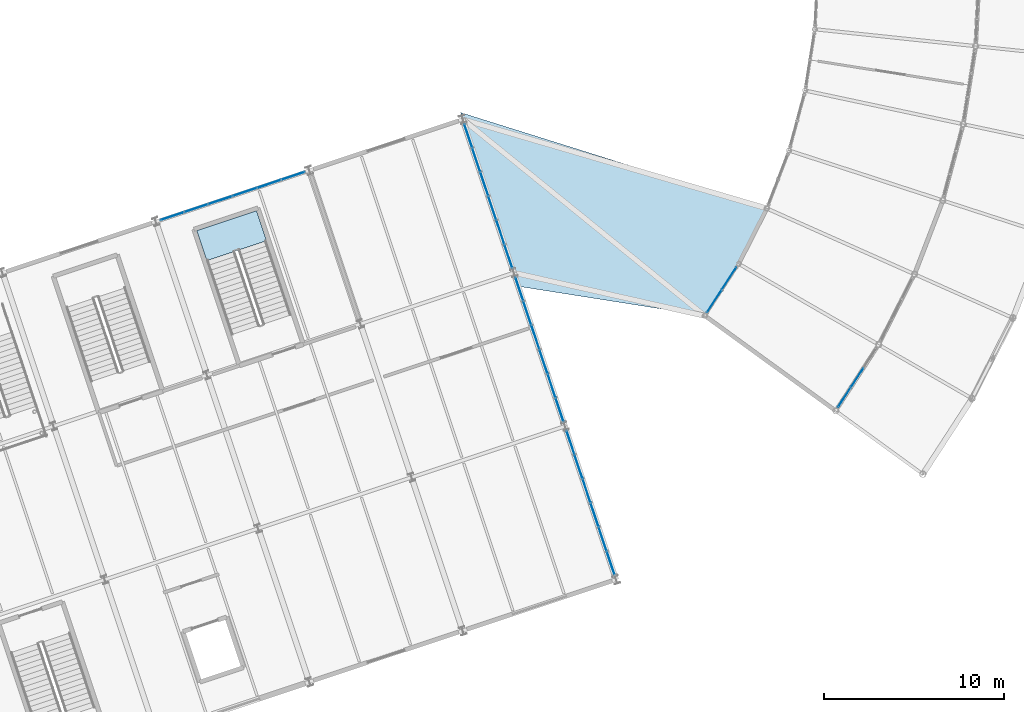
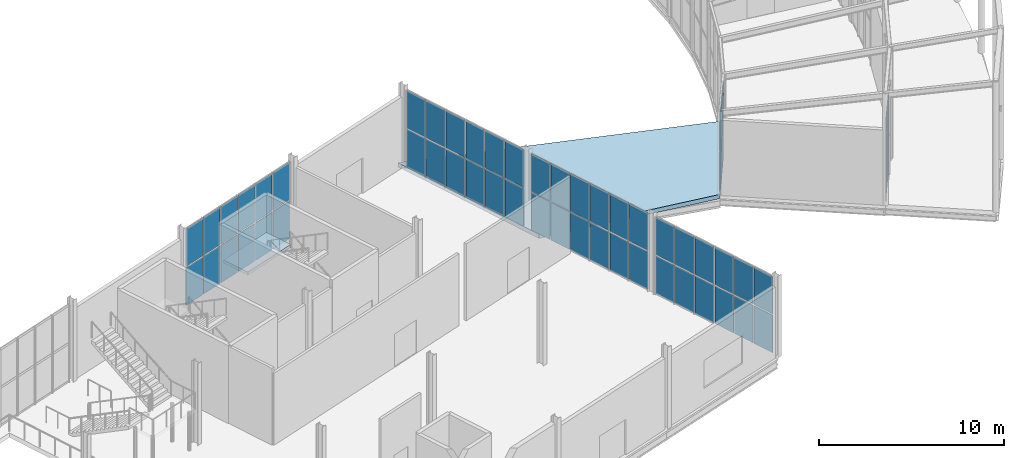
# One storey, part 113 of 158: 56 plates, 2 slabs, 7 elements without a shape of their own.
"""IFC4 building model written with IfcOpenShell, lengths in metres."""

import ifcopenshell
import ifcopenshell.guid

model = None  # the IFC model being written
_history = None  # IfcOwnerHistory: only IFC2X3 demands one
_inside = {}  # id of a spatial element -> (the spatial element, [elements in it])
_under = {}  # id of a project, library or spatial element -> (it, [spatial elements below it])
_declared = {}  # id of a project -> (the project, [libraries it declares])
_typed = {}  # id of a type object -> (the type object, [elements of that type])
_made_of = {}  # id of a material, layer set ... -> (it, [elements and type objects made of it])


def new_model(schema):
    """Start an empty IFC model of exactly this schema.

    Asked for "IFC4X3", IfcOpenShell would pick the latest addendum, in which some entities
    have other attributes; the version numbers below select the first issue.
    IFC2X3 requires an IfcOwnerHistory on every rooted entity: one is made here for all.
    """
    global model, _history
    if schema == "IFC4X3":
        model = ifcopenshell.file(schema_version=(4, 3, 0, 0))
    else:
        model = ifcopenshell.file(schema=schema)
    _inside.clear()
    _under.clear()
    _declared.clear()
    _typed.clear()
    _made_of.clear()
    _history = None
    if model.schema == "IFC2X3":
        org = make("IfcOrganization", Name="unknown")
        user = make(
            "IfcPersonAndOrganization",
            ThePerson=make("IfcPerson", FamilyName="unknown"),
            TheOrganization=org,
        )
        app = make(
            "IfcApplication",
            ApplicationDeveloper=org,
            Version="unknown",
            ApplicationFullName="unknown",
            ApplicationIdentifier="unknown",
        )
        _history = make(
            "IfcOwnerHistory",
            OwningUser=user,
            OwningApplication=app,
            ChangeAction="ADDED",
            CreationDate=0,
        )
    return model


def make(cls, **values):
    """One entity of the class cls with the attributes given. An attribute that is None is left unset."""
    return model.create_entity(
        cls, **{name: value for name, value in values.items() if value is not None}
    )


def rooted(cls, **values):
    """An entity with a GlobalId (a new one), such as an element, a storey or a relation."""
    return make(cls, GlobalId=ifcopenshell.guid.new(), OwnerHistory=_history, **values)


def si_unit(unit_type, name, prefix=None):
    """IfcSIUnit, for example si_unit("LENGTHUNIT", "METRE", prefix="MILLI")."""
    return make("IfcSIUnit", UnitType=unit_type, Prefix=prefix, Name=name)


def derived_unit(unit_type, elements):
    """IfcDerivedUnit: a product of units, each with its exponent."""
    return make(
        "IfcDerivedUnit",
        Elements=[
            make("IfcDerivedUnitElement", Unit=unit, Exponent=power)
            for unit, power in elements
        ],
        UnitType=unit_type,
    )


def assignment(units):
    """IfcUnitAssignment: the units of a project."""
    return None if units is None else make("IfcUnitAssignment", Units=units)


def point(xyz):
    """IfcCartesianPoint."""
    return None if xyz is None else make("IfcCartesianPoint", Coordinates=xyz)


def direction(xyz):
    """IfcDirection."""
    return None if xyz is None else make("IfcDirection", DirectionRatios=xyz)


def frame(location, z_axis=None, x_axis=None):
    """IfcAxis2Placement3D, a coordinate frame: its origin and axes. An axis left out is left unset."""
    return make(
        "IfcAxis2Placement3D",
        Location=point(location),
        Axis=direction(z_axis),
        RefDirection=direction(x_axis),
    )


def frame_2d(location, x_axis=None):
    """IfcAxis2Placement2D, a coordinate frame in the plane: its origin and x axis."""
    return make(
        "IfcAxis2Placement2D", Location=point(location), RefDirection=direction(x_axis)
    )


def origin():
    """The frame at (0, 0, 0) with its axes left unset."""
    return frame((0.0, 0.0, 0.0))


def origin_2d():
    """The frame at (0, 0) in the plane with its x axis left unset."""
    return frame_2d((0.0, 0.0))


def place(relative_to, where):
    """IfcLocalPlacement: puts the frame where relative to a parent placement (None: the world)."""
    return make(
        "IfcLocalPlacement", PlacementRelTo=relative_to, RelativePlacement=where
    )


def context(
    kind, dimensions, precision=None, world=None, true_north=None, identifier=None
):
    """IfcGeometricRepresentationContext, for example the 3D "Model" context."""
    return make(
        "IfcGeometricRepresentationContext",
        ContextIdentifier=identifier,
        ContextType=kind,
        CoordinateSpaceDimension=dimensions,
        Precision=precision,
        WorldCoordinateSystem=world,
        TrueNorth=true_north,
    )


def subcontext(parent, identifier, kind, view, scale=None):
    """IfcGeometricRepresentationSubContext, for example "Body" below "Model"."""
    return make(
        "IfcGeometricRepresentationSubContext",
        ContextIdentifier=identifier,
        ContextType=kind,
        ParentContext=parent,
        TargetScale=scale,
        TargetView=view,
    )


def project(units=None, contexts=None):
    """IfcProject with its units and contexts."""
    return rooted(
        "IfcProject",
        Name="project",
        RepresentationContexts=contexts,
        UnitsInContext=assignment(units),
    )


def spatial(cls, under=None, at=None, **own):
    """A site, building, storey or space (cls), placed at a placement, below another one or the project."""
    s = rooted(cls, ObjectPlacement=at, **own)
    if under is not None:
        _under.setdefault(under.id(), (under, []))[1].append(s)
    return s


def polyline(points):
    """IfcPolyline through the points."""
    return make("IfcPolyline", Points=[point(p) for p in points])


def profile(cls, at=None, kind="AREA", **sizes):
    """A parametric profile (cls). Its sizes go by their IFC names, for example OverallWidth=200.0."""
    return make(cls, ProfileType=kind, Position=at, **sizes)


def rectangle(**sizes):
    """IfcRectangleProfileDef."""
    return profile("IfcRectangleProfileDef", **sizes)


def outline(outer, holes=None, kind="AREA"):
    """IfcArbitraryClosedProfileDef: a profile drawn as a closed curve; with holes, ...WithVoids."""
    if holes is None:
        return make("IfcArbitraryClosedProfileDef", ProfileType=kind, OuterCurve=outer)
    return make(
        "IfcArbitraryProfileDefWithVoids",
        ProfileType=kind,
        OuterCurve=outer,
        InnerCurves=holes,
    )


def extrude(swept, where, along, depth):
    """IfcExtrudedAreaSolid: the profile swept, set in the frame where, extruded along a direction by depth."""
    return make(
        "IfcExtrudedAreaSolid",
        SweptArea=swept,
        Position=where,
        ExtrudedDirection=direction(along),
        Depth=depth,
    )


def shape(context_of_items, identifier, shape_type, items):
    """IfcShapeRepresentation: the items that make up one representation, for example the "Body"."""
    return make(
        "IfcShapeRepresentation",
        ContextOfItems=context_of_items,
        RepresentationIdentifier=identifier,
        RepresentationType=shape_type,
        Items=items,
    )


def material(Name=None, Category=None):
    """IfcMaterial."""
    return make("IfcMaterial", Name=Name, Category=Category)


def layer(
    of_material, thickness, ventilated=None, Name=None, Category=None, Priority=None
):
    """IfcMaterialLayer: one layer of a wall or slab, of a material (None: an air gap)."""
    return make(
        "IfcMaterialLayer",
        Material=of_material,
        LayerThickness=thickness,
        IsVentilated=ventilated,
        Name=Name,
        Category=Category,
        Priority=Priority,
    )


def layer_set(layers, Name=None):
    """IfcMaterialLayerSet."""
    return make("IfcMaterialLayerSet", MaterialLayers=layers, LayerSetName=Name)


def made_of(thing, what):
    """Note that an element or type object is made of a material, layer set ...; save() writes the relation."""
    if what is not None:
        _made_of.setdefault(what.id(), (what, []))[1].append(thing)
    return thing


def type_object(cls, material=None, **own):
    """A type object (cls), such as IfcWallType, which elements share."""
    return made_of(rooted(cls, **own), material)


def element(
    cls,
    number,
    at=None,
    inside=None,
    cuts=None,
    type_object=None,
    material=None,
    context=None,
    identifier="Body",
    shape_type=None,
    held_by="IfcProductDefinitionShape",
    body=None,
    shapes=None,
    **own,
):
    """One element of the class cls, such as IfcWall. Its Tag is "e" and its number.

    at: its placement. inside: the storey or other place that contains it. cuts: it is an
    opening in that element (IfcRelVoidsElement). A single representation is given by context,
    identifier, shape_type and body (its items); several are given by shapes. held_by: the class
    of the entity that holds the representations. save() writes the other relations.
    """
    e = rooted(cls, Tag="e%d" % number, ObjectPlacement=at, **own)
    if body is not None:
        shapes = [shape(context, identifier, shape_type, body)]
    if shapes is not None:
        e.Representation = make(held_by, Representations=shapes)
    if inside is not None:
        _inside.setdefault(inside.id(), (inside, []))[1].append(e)
    if cuts is not None:
        rooted(
            "IfcRelVoidsElement", RelatingBuildingElement=cuts, RelatedOpeningElement=e
        )
    if type_object is not None:
        _typed.setdefault(type_object.id(), (type_object, []))[1].append(e)
    return made_of(e, material)


def aggregate(whole, parts):
    """IfcRelAggregates: a whole, such as a stair, and the parts it consists of."""
    return rooted("IfcRelAggregates", RelatingObject=whole, RelatedObjects=parts)


def save(model, path):
    """Write the relations noted so far, then the file.

    IfcRelAggregates (storeys below a building ...), IfcRelContainedInSpatialStructure (elements
    in a storey), IfcRelDefinesByType, IfcRelAssociatesMaterial and IfcRelDeclares: one each for
    every whole, place, type object, material and project.
    """
    for whole, parts in _under.values():
        aggregate(whole, parts)
    for where, things in _inside.values():
        rooted(
            "IfcRelContainedInSpatialStructure",
            RelatedElements=things,
            RelatingStructure=where,
        )
    for kind, things in _typed.values():
        rooted("IfcRelDefinesByType", RelatedObjects=things, RelatingType=kind)
    for what, things in _made_of.values():
        rooted("IfcRelAssociatesMaterial", RelatedObjects=things, RelatingMaterial=what)
    for by, libraries in _declared.values():
        rooted("IfcRelDeclares", RelatingContext=by, RelatedDefinitions=libraries)
    model.write(path)


model = new_model("IFC4")

# Units and contexts
model_context = context("Model", 3, precision=1e-05, world=origin(), true_north=direction((0.0, 1.0)))
body_context = subcontext(model_context, "Body", "Model", "MODEL_VIEW")
ifc_project = project(units=[si_unit("LENGTHUNIT", "METRE"), si_unit("AREAUNIT", "SQUARE_METRE"), si_unit("VOLUMEUNIT", "CUBIC_METRE"), si_unit("PLANEANGLEUNIT", "RADIAN"), si_unit("MASSUNIT", "GRAM", prefix="KILO"), si_unit("THERMODYNAMICTEMPERATUREUNIT", "KELVIN"), si_unit("TIMEUNIT", "SECOND"), derived_unit("THERMALTRANSMITTANCEUNIT", [(si_unit("MASSUNIT", "GRAM", prefix="KILO"), 1), (si_unit("THERMODYNAMICTEMPERATUREUNIT", "KELVIN"), -1), (si_unit("TIMEUNIT", "SECOND"), -3)])], contexts=[model_context])

# Site, building, storey
site_placement = place(None, origin())
site = spatial("IfcSite", under=ifc_project, at=site_placement, CompositionType="ELEMENT")
building_placement = place(site_placement, origin())
building = spatial("IfcBuilding", under=site, at=building_placement, Name="Cambertide Market Hall", CompositionType="ELEMENT")
storey_placement = place(building_placement, origin())
storey = spatial("IfcBuildingStorey", under=building, at=storey_placement, Name="L01", CompositionType="ELEMENT", Elevation=0.0)

# Stair, slab
ifc_material_1 = material(Name="Concrete B35", Category="concrete")
stair_type = type_object("IfcStairType", Name="Concrete Dogleg Stair ST-05B", PredefinedType="HALF_TURN_STAIR", material=ifc_material_1)
stair_placement = place(storey_placement, origin())
stair = element("IfcStair", 1, at=stair_placement, inside=storey, type_object=stair_type, Name="Level 1 Exit Stair Core 05B", PredefinedType="HALF_TURN_STAIR")
ifc_material_2 = material(Name="Concrete B35", Category="concrete")
ifc_layer_1 = layer(ifc_material_2, 0.199951171875, Name="Concrete Stair Half-Landing 200")
ifc_layer_set_1 = layer_set([ifc_layer_1], Name="Concrete B35")
slab_type_1 = type_object("IfcSlabType", Name="Concrete Stair Half-Landing 200", PredefinedType="LANDING", material=ifc_layer_set_1)
slab_1_placement = place(storey_placement, frame((0.0, 0.0, 2.5)))
slab_1 = element("IfcSlab", 2, at=slab_1_placement, type_object=slab_type_1, Name="ST-05B landing 1", PredefinedType="LANDING", context=body_context, shape_type="SweptSolid", body=[
    extrude(outline(polyline([(146.304443359375, 50.781494140625), (145.749755859375, 52.445556640625), (142.429443359375, 51.338623046875), (142.984130859375, 49.6748046875), (146.304443359375, 50.781494140625)])), origin(), (0.0, 0.0, 1.0), 0.199951171875),
])
aggregate(stair, [slab_1])

# Slab
ifc_material_3 = material(Name="Concrete B35", Category="concrete")
ifc_layer_2 = layer(ifc_material_3, 0.280029296875, Name="Exterior Entry Apron & Colonnade Slab 280")
ifc_layer_set_2 = layer_set([ifc_layer_2], Name="Concrete B35")
slab_type_2 = type_object("IfcSlabType", Name="Exterior Entry Apron & Colonnade Slab 280", PredefinedType="FLOOR", material=ifc_layer_set_2)
slab_2_placement = place(storey_placement, frame((0.0, 0.0, -0.280029296875)))
element("IfcSlab", 3, at=slab_2_placement, inside=storey, type_object=slab_type_2, Name="Level 1 Slab SLB-L01-LNK-V3V5", PredefinedType="FLOOR", context=body_context, shape_type="SweptSolid", body=[
    extrude(outline(polyline([(157.23046875, 57.5478515625), (157.235107421875, 57.54931640625), (160.338134765625, 48.240478515625), (170.693603515625, 46.60595703125), (170.693603515625, 46.606201171875), (172.574462890625, 49.50244140625), (172.574462890625, 49.50244140625), (172.574462890625, 49.502685546875), (174.142333984375, 52.57958984375), (174.142333984375, 52.57958984375), (157.107177734375, 57.91796875), (157.23046875, 57.5478515625)])), origin(), (0.0, 0.0, 1.0), 0.280029296875),
])

# Curtain wall, plates
ifc_material_4 = material(Name="Marine Anodized Aluminium 6063-T6 AA25", Category="aluminium")
curtain_wall_type_1 = type_object("IfcCurtainWallType", Name="Food Court Ground Glazed Facade", PredefinedType="USERDEFINED", material=ifc_material_4)
curtain_wall_1_placement = place(storey_placement, origin())
curtain_wall_1 = element("IfcCurtainWall", 4, at=curtain_wall_1_placement, inside=storey, type_object=curtain_wall_type_1, Name="Level 1 Curtain Wall CW-V3N-L01-6", ObjectType="UNITIZED CURTAIN WALL", PredefinedType="USERDEFINED")
ifc_material_5 = material(Name="Low-E Laminated Insulated Glass", Category="glass")
ifc_layer_3 = layer(ifc_material_5, 0.028076171875, Name="Vision Insulated Glazing Panel 28")
ifc_layer_set_3 = layer_set([ifc_layer_3], Name="Low-E Laminated Insulated Glass")
plate_type = type_object("IfcPlateType", Name="Vision Insulated Glazing Panel 28", PredefinedType="CURTAIN_PANEL", material=ifc_layer_set_3)
plate_1_placement = place(storey_placement, frame((141.053955078125, 52.14501953125, 0.0400390625), z_axis=(0.0, 0.0, 1.0), x_axis=(0.948683274577, 0.316227836438, 0.0)))
plate_1 = element("IfcPlate", 5, at=plate_1_placement, type_object=plate_type, Name="CW-V3N-L01-6 Glazing Panel 1-1", PredefinedType="CURTAIN_PANEL", context=body_context, shape_type="SweptSolid", body=[
    extrude(rectangle(XDim=1.340087890625, YDim=0.028076171875, at=origin_2d()), origin(), (0.0, 0.0, 1.0), 2.47998046875),
])
plate_2_placement = place(storey_placement, frame((142.40087890625, 52.59423828125, 0.0400390625), z_axis=(0.0, 0.0, 1.0), x_axis=(0.948683274577, 0.316227836438, 0.0)))
plate_2 = element("IfcPlate", 6, at=plate_2_placement, type_object=plate_type, Name="CW-V3N-L01-6 Glazing Panel 1-2", PredefinedType="CURTAIN_PANEL", context=body_context, shape_type="SweptSolid", body=[
    extrude(rectangle(XDim=1.340087890625, YDim=0.028076171875, at=origin_2d()), origin(), (0.0, 0.0, 1.0), 2.47998046875),
])
plate_3_placement = place(storey_placement, frame((143.748046875, 53.043212890625, 0.0400390625), z_axis=(0.0, 0.0, 1.0), x_axis=(0.948683274577, 0.316227836438, 0.0)))
plate_3 = element("IfcPlate", 7, at=plate_3_placement, type_object=plate_type, Name="CW-V3N-L01-6 Glazing Panel 1-3", PredefinedType="CURTAIN_PANEL", context=body_context, shape_type="SweptSolid", body=[
    extrude(rectangle(XDim=1.340087890625, YDim=0.028076171875, at=origin_2d()), origin(), (0.0, 0.0, 1.0), 2.47998046875),
])
plate_4_placement = place(storey_placement, frame((145.09521484375, 53.4921875, 0.0400390625), z_axis=(0.0, 0.0, 1.0), x_axis=(0.948683274577, 0.316227836438, 0.0)))
plate_4 = element("IfcPlate", 8, at=plate_4_placement, type_object=plate_type, Name="CW-V3N-L01-6 Glazing Panel 1-4", PredefinedType="CURTAIN_PANEL", context=body_context, shape_type="SweptSolid", body=[
    extrude(rectangle(XDim=1.340087890625, YDim=0.028076171875, at=origin_2d()), origin(), (0.0, 0.0, 1.0), 2.47998046875),
])
plate_5_placement = place(storey_placement, frame((146.4423828125, 53.94140625, 0.0400390625), z_axis=(0.0, 0.0, 1.0), x_axis=(0.948683274577, 0.316227836438, 0.0)))
plate_5 = element("IfcPlate", 9, at=plate_5_placement, type_object=plate_type, Name="CW-V3N-L01-6 Glazing Panel 1-5", PredefinedType="CURTAIN_PANEL", context=body_context, shape_type="SweptSolid", body=[
    extrude(rectangle(XDim=1.340087890625, YDim=0.028076171875, at=origin_2d()), origin(), (0.0, 0.0, 1.0), 2.47998046875),
])
plate_6_placement = place(storey_placement, frame((147.78955078125, 54.390380859375, 0.0400390625), z_axis=(0.0, 0.0, 1.0), x_axis=(0.948683274577, 0.316227836438, 0.0)))
plate_6 = element("IfcPlate", 10, at=plate_6_placement, type_object=plate_type, Name="CW-V3N-L01-6 Glazing Panel 1-6", PredefinedType="CURTAIN_PANEL", context=body_context, shape_type="SweptSolid", body=[
    extrude(rectangle(XDim=1.340087890625, YDim=0.028076171875, at=origin_2d()), origin(), (0.0, 0.0, 1.0), 2.47998046875),
])
plate_7_placement = place(storey_placement, frame((141.053955078125, 52.14501953125, 2.60009765625), z_axis=(0.0, 0.0, 1.0), x_axis=(0.948683274577, 0.316227836438, 0.0)))
plate_7 = element("IfcPlate", 11, at=plate_7_placement, type_object=plate_type, Name="CW-V3N-L01-6 Glazing Panel 2-1", PredefinedType="CURTAIN_PANEL", context=body_context, shape_type="SweptSolid", body=[
    extrude(rectangle(XDim=1.340087890625, YDim=0.028076171875, at=origin_2d()), origin(), (0.0, 0.0, 1.0), 2.47998046875),
])
plate_8_placement = place(storey_placement, frame((142.40087890625, 52.59423828125, 2.60009765625), z_axis=(0.0, 0.0, 1.0), x_axis=(0.948683274577, 0.316227836438, 0.0)))
plate_8 = element("IfcPlate", 12, at=plate_8_placement, type_object=plate_type, Name="CW-V3N-L01-6 Glazing Panel 2-2", PredefinedType="CURTAIN_PANEL", context=body_context, shape_type="SweptSolid", body=[
    extrude(rectangle(XDim=1.340087890625, YDim=0.028076171875, at=origin_2d()), origin(), (0.0, 0.0, 1.0), 2.47998046875),
])
plate_9_placement = place(storey_placement, frame((143.748046875, 53.043212890625, 2.60009765625), z_axis=(0.0, 0.0, 1.0), x_axis=(0.948683274577, 0.316227836438, 0.0)))
plate_9 = element("IfcPlate", 13, at=plate_9_placement, type_object=plate_type, Name="CW-V3N-L01-6 Glazing Panel 2-3", PredefinedType="CURTAIN_PANEL", context=body_context, shape_type="SweptSolid", body=[
    extrude(rectangle(XDim=1.340087890625, YDim=0.028076171875, at=origin_2d()), origin(), (0.0, 0.0, 1.0), 2.47998046875),
])
plate_10_placement = place(storey_placement, frame((145.09521484375, 53.4921875, 2.60009765625), z_axis=(0.0, 0.0, 1.0), x_axis=(0.948683274577, 0.316227836438, 0.0)))
plate_10 = element("IfcPlate", 14, at=plate_10_placement, type_object=plate_type, Name="CW-V3N-L01-6 Glazing Panel 2-4", PredefinedType="CURTAIN_PANEL", context=body_context, shape_type="SweptSolid", body=[
    extrude(rectangle(XDim=1.340087890625, YDim=0.028076171875, at=origin_2d()), origin(), (0.0, 0.0, 1.0), 2.47998046875),
])
plate_11_placement = place(storey_placement, frame((146.4423828125, 53.94140625, 2.60009765625), z_axis=(0.0, 0.0, 1.0), x_axis=(0.948683274577, 0.316227836438, 0.0)))
plate_11 = element("IfcPlate", 15, at=plate_11_placement, type_object=plate_type, Name="CW-V3N-L01-6 Glazing Panel 2-5", PredefinedType="CURTAIN_PANEL", context=body_context, shape_type="SweptSolid", body=[
    extrude(rectangle(XDim=1.340087890625, YDim=0.028076171875, at=origin_2d()), origin(), (0.0, 0.0, 1.0), 2.47998046875),
])
plate_12_placement = place(storey_placement, frame((147.78955078125, 54.390380859375, 2.60009765625), z_axis=(0.0, 0.0, 1.0), x_axis=(0.948683274577, 0.316227836438, 0.0)))
plate_12 = element("IfcPlate", 16, at=plate_12_placement, type_object=plate_type, Name="CW-V3N-L01-6 Glazing Panel 2-6", PredefinedType="CURTAIN_PANEL", context=body_context, shape_type="SweptSolid", body=[
    extrude(rectangle(XDim=1.340087890625, YDim=0.028076171875, at=origin_2d()), origin(), (0.0, 0.0, 1.0), 2.47998046875),
])
aggregate(curtain_wall_1, [plate_1, plate_2, plate_3, plate_4, plate_5, plate_6, plate_7, plate_8, plate_9, plate_10, plate_11, plate_12])

curtain_wall_2_placement = place(storey_placement, origin())
curtain_wall_2 = element("IfcCurtainWall", 17, at=curtain_wall_2_placement, inside=storey, type_object=curtain_wall_type_1, Name="Level 1 Curtain Wall CW-V3E-L01-1", ObjectType="UNITIZED CURTAIN WALL", PredefinedType="USERDEFINED")
plate_13_placement = place(storey_placement, frame((163.221435546875, 39.559326171875, 0.0400390625), z_axis=(0.0, 0.0, 1.0), x_axis=(0.316227695598, -0.948683321523, 0.0)))
plate_13 = element("IfcPlate", 18, at=plate_13_placement, type_object=plate_type, Name="CW-V3E-L01-1 Glazing Panel 1-1", PredefinedType="CURTAIN_PANEL", context=body_context, shape_type="SweptSolid", body=[
    extrude(rectangle(XDim=1.340087890625, YDim=0.028076171875, at=origin_2d()), origin(), (0.0, 0.0, 1.0), 2.47998046875),
])
plate_14_placement = place(storey_placement, frame((163.67041015625, 38.212158203125, 0.0400390625), z_axis=(0.0, 0.0, 1.0), x_axis=(0.316227695598, -0.948683321523, 0.0)))
plate_14 = element("IfcPlate", 19, at=plate_14_placement, type_object=plate_type, Name="CW-V3E-L01-1 Glazing Panel 1-2", PredefinedType="CURTAIN_PANEL", context=body_context, shape_type="SweptSolid", body=[
    extrude(rectangle(XDim=1.340087890625, YDim=0.028076171875, at=origin_2d()), origin(), (0.0, 0.0, 1.0), 2.47998046875),
])
plate_15_placement = place(storey_placement, frame((164.119384765625, 36.864990234375, 0.0400390625), z_axis=(0.0, 0.0, 1.0), x_axis=(0.316227695598, -0.948683321523, 0.0)))
plate_15 = element("IfcPlate", 20, at=plate_15_placement, type_object=plate_type, Name="CW-V3E-L01-1 Glazing Panel 1-3", PredefinedType="CURTAIN_PANEL", context=body_context, shape_type="SweptSolid", body=[
    extrude(rectangle(XDim=1.340087890625, YDim=0.028076171875, at=origin_2d()), origin(), (0.0, 0.0, 1.0), 2.47998046875),
])
plate_16_placement = place(storey_placement, frame((164.568603515625, 35.517822265625, 0.0400390625), z_axis=(0.0, 0.0, 1.0), x_axis=(0.316227695598, -0.948683321523, 0.0)))
plate_16 = element("IfcPlate", 21, at=plate_16_placement, type_object=plate_type, Name="CW-V3E-L01-1 Glazing Panel 1-4", PredefinedType="CURTAIN_PANEL", context=body_context, shape_type="SweptSolid", body=[
    extrude(rectangle(XDim=1.340087890625, YDim=0.028076171875, at=origin_2d()), origin(), (0.0, 0.0, 1.0), 2.47998046875),
])
plate_17_placement = place(storey_placement, frame((165.017578125, 34.170654296875, 0.0400390625), z_axis=(0.0, 0.0, 1.0), x_axis=(0.316227695598, -0.948683321523, 0.0)))
plate_17 = element("IfcPlate", 22, at=plate_17_placement, type_object=plate_type, Name="CW-V3E-L01-1 Glazing Panel 1-5", PredefinedType="CURTAIN_PANEL", context=body_context, shape_type="SweptSolid", body=[
    extrude(rectangle(XDim=1.340087890625, YDim=0.028076171875, at=origin_2d()), origin(), (0.0, 0.0, 1.0), 2.47998046875),
])
plate_18_placement = place(storey_placement, frame((165.466552734375, 32.823486328125, 0.0400390625), z_axis=(0.0, 0.0, 1.0), x_axis=(0.316227695598, -0.948683321523, 0.0)))
plate_18 = element("IfcPlate", 23, at=plate_18_placement, type_object=plate_type, Name="CW-V3E-L01-1 Glazing Panel 1-6", PredefinedType="CURTAIN_PANEL", context=body_context, shape_type="SweptSolid", body=[
    extrude(rectangle(XDim=1.340087890625, YDim=0.028076171875, at=origin_2d()), origin(), (0.0, 0.0, 1.0), 2.47998046875),
])
plate_19_placement = place(storey_placement, frame((163.221435546875, 39.559326171875, 2.60009765625), z_axis=(0.0, 0.0, 1.0), x_axis=(0.316227695598, -0.948683321523, 0.0)))
plate_19 = element("IfcPlate", 24, at=plate_19_placement, type_object=plate_type, Name="CW-V3E-L01-1 Glazing Panel 2-1", PredefinedType="CURTAIN_PANEL", context=body_context, shape_type="SweptSolid", body=[
    extrude(rectangle(XDim=1.340087890625, YDim=0.028076171875, at=origin_2d()), origin(), (0.0, 0.0, 1.0), 2.47998046875),
])
plate_20_placement = place(storey_placement, frame((163.67041015625, 38.212158203125, 2.60009765625), z_axis=(0.0, 0.0, 1.0), x_axis=(0.316227695598, -0.948683321523, 0.0)))
plate_20 = element("IfcPlate", 25, at=plate_20_placement, type_object=plate_type, Name="CW-V3E-L01-1 Glazing Panel 2-2", PredefinedType="CURTAIN_PANEL", context=body_context, shape_type="SweptSolid", body=[
    extrude(rectangle(XDim=1.340087890625, YDim=0.028076171875, at=origin_2d()), origin(), (0.0, 0.0, 1.0), 2.47998046875),
])
plate_21_placement = place(storey_placement, frame((164.119384765625, 36.864990234375, 2.60009765625), z_axis=(0.0, 0.0, 1.0), x_axis=(0.316227695598, -0.948683321523, 0.0)))
plate_21 = element("IfcPlate", 26, at=plate_21_placement, type_object=plate_type, Name="CW-V3E-L01-1 Glazing Panel 2-3", PredefinedType="CURTAIN_PANEL", context=body_context, shape_type="SweptSolid", body=[
    extrude(rectangle(XDim=1.340087890625, YDim=0.028076171875, at=origin_2d()), origin(), (0.0, 0.0, 1.0), 2.47998046875),
])
plate_22_placement = place(storey_placement, frame((164.568603515625, 35.517822265625, 2.60009765625), z_axis=(0.0, 0.0, 1.0), x_axis=(0.316227695598, -0.948683321523, 0.0)))
plate_22 = element("IfcPlate", 27, at=plate_22_placement, type_object=plate_type, Name="CW-V3E-L01-1 Glazing Panel 2-4", PredefinedType="CURTAIN_PANEL", context=body_context, shape_type="SweptSolid", body=[
    extrude(rectangle(XDim=1.340087890625, YDim=0.028076171875, at=origin_2d()), origin(), (0.0, 0.0, 1.0), 2.47998046875),
])
plate_23_placement = place(storey_placement, frame((165.017578125, 34.170654296875, 2.60009765625), z_axis=(0.0, 0.0, 1.0), x_axis=(0.316227695598, -0.948683321523, 0.0)))
plate_23 = element("IfcPlate", 28, at=plate_23_placement, type_object=plate_type, Name="CW-V3E-L01-1 Glazing Panel 2-5", PredefinedType="CURTAIN_PANEL", context=body_context, shape_type="SweptSolid", body=[
    extrude(rectangle(XDim=1.340087890625, YDim=0.028076171875, at=origin_2d()), origin(), (0.0, 0.0, 1.0), 2.47998046875),
])
plate_24_placement = place(storey_placement, frame((165.466552734375, 32.823486328125, 2.60009765625), z_axis=(0.0, 0.0, 1.0), x_axis=(0.316227695598, -0.948683321523, 0.0)))
plate_24 = element("IfcPlate", 29, at=plate_24_placement, type_object=plate_type, Name="CW-V3E-L01-1 Glazing Panel 2-6", PredefinedType="CURTAIN_PANEL", context=body_context, shape_type="SweptSolid", body=[
    extrude(rectangle(XDim=1.340087890625, YDim=0.028076171875, at=origin_2d()), origin(), (0.0, 0.0, 1.0), 2.47998046875),
])
aggregate(curtain_wall_2, [plate_13, plate_14, plate_15, plate_16, plate_17, plate_18, plate_19, plate_20, plate_21, plate_22, plate_23, plate_24])

curtain_wall_3_placement = place(storey_placement, origin())
curtain_wall_3 = element("IfcCurtainWall", 30, at=curtain_wall_3_placement, inside=storey, type_object=curtain_wall_type_1, Name="Level 1 Curtain Wall CW-V3E-L01-2", ObjectType="UNITIZED CURTAIN WALL", PredefinedType="USERDEFINED")
plate_25_placement = place(storey_placement, frame((160.375244140625, 48.097412109375, 0.0400390625), z_axis=(0.0, 0.0, 1.0), x_axis=(0.316227695598, -0.948683321523, 0.0)))
plate_25 = element("IfcPlate", 31, at=plate_25_placement, type_object=plate_type, Name="CW-V3E-L01-2 Glazing Panel 1-1", PredefinedType="CURTAIN_PANEL", context=body_context, shape_type="SweptSolid", body=[
    extrude(rectangle(XDim=1.340087890625, YDim=0.028076171875, at=origin_2d()), origin(), (0.0, 0.0, 1.0), 2.47998046875),
])
plate_26_placement = place(storey_placement, frame((160.824462890625, 46.750244140625, 0.0400390625), z_axis=(0.0, 0.0, 1.0), x_axis=(0.316227695598, -0.948683321523, 0.0)))
plate_26 = element("IfcPlate", 32, at=plate_26_placement, type_object=plate_type, Name="CW-V3E-L01-2 Glazing Panel 1-2", PredefinedType="CURTAIN_PANEL", context=body_context, shape_type="SweptSolid", body=[
    extrude(rectangle(XDim=1.340087890625, YDim=0.028076171875, at=origin_2d()), origin(), (0.0, 0.0, 1.0), 2.47998046875),
])
plate_27_placement = place(storey_placement, frame((161.2734375, 45.403076171875, 0.0400390625), z_axis=(0.0, 0.0, 1.0), x_axis=(0.316227695598, -0.948683321523, 0.0)))
plate_27 = element("IfcPlate", 33, at=plate_27_placement, type_object=plate_type, Name="CW-V3E-L01-2 Glazing Panel 1-3", PredefinedType="CURTAIN_PANEL", context=body_context, shape_type="SweptSolid", body=[
    extrude(rectangle(XDim=1.340087890625, YDim=0.028076171875, at=origin_2d()), origin(), (0.0, 0.0, 1.0), 2.47998046875),
])
plate_28_placement = place(storey_placement, frame((161.722412109375, 44.055908203125, 0.0400390625), z_axis=(0.0, 0.0, 1.0), x_axis=(0.316227695598, -0.948683321523, 0.0)))
plate_28 = element("IfcPlate", 34, at=plate_28_placement, type_object=plate_type, Name="CW-V3E-L01-2 Glazing Panel 1-4", PredefinedType="CURTAIN_PANEL", context=body_context, shape_type="SweptSolid", body=[
    extrude(rectangle(XDim=1.340087890625, YDim=0.028076171875, at=origin_2d()), origin(), (0.0, 0.0, 1.0), 2.47998046875),
])
plate_29_placement = place(storey_placement, frame((162.171630859375, 42.708984375, 0.0400390625), z_axis=(0.0, 0.0, 1.0), x_axis=(0.316227695598, -0.948683321523, 0.0)))
plate_29 = element("IfcPlate", 35, at=plate_29_placement, type_object=plate_type, Name="CW-V3E-L01-2 Glazing Panel 1-5", PredefinedType="CURTAIN_PANEL", context=body_context, shape_type="SweptSolid", body=[
    extrude(rectangle(XDim=1.340087890625, YDim=0.028076171875, at=origin_2d()), origin(), (0.0, 0.0, 1.0), 2.47998046875),
])
plate_30_placement = place(storey_placement, frame((162.62060546875, 41.36181640625, 0.0400390625), z_axis=(0.0, 0.0, 1.0), x_axis=(0.316227695598, -0.948683321523, 0.0)))
plate_30 = element("IfcPlate", 36, at=plate_30_placement, type_object=plate_type, Name="CW-V3E-L01-2 Glazing Panel 1-6", PredefinedType="CURTAIN_PANEL", context=body_context, shape_type="SweptSolid", body=[
    extrude(rectangle(XDim=1.340087890625, YDim=0.028076171875, at=origin_2d()), origin(), (0.0, 0.0, 1.0), 2.47998046875),
])
plate_31_placement = place(storey_placement, frame((160.375244140625, 48.097412109375, 2.60009765625), z_axis=(0.0, 0.0, 1.0), x_axis=(0.316227695598, -0.948683321523, 0.0)))
plate_31 = element("IfcPlate", 37, at=plate_31_placement, type_object=plate_type, Name="CW-V3E-L01-2 Glazing Panel 2-1", PredefinedType="CURTAIN_PANEL", context=body_context, shape_type="SweptSolid", body=[
    extrude(rectangle(XDim=1.340087890625, YDim=0.028076171875, at=origin_2d()), origin(), (0.0, 0.0, 1.0), 2.47998046875),
])
plate_32_placement = place(storey_placement, frame((160.824462890625, 46.750244140625, 2.60009765625), z_axis=(0.0, 0.0, 1.0), x_axis=(0.316227695598, -0.948683321523, 0.0)))
plate_32 = element("IfcPlate", 38, at=plate_32_placement, type_object=plate_type, Name="CW-V3E-L01-2 Glazing Panel 2-2", PredefinedType="CURTAIN_PANEL", context=body_context, shape_type="SweptSolid", body=[
    extrude(rectangle(XDim=1.340087890625, YDim=0.028076171875, at=origin_2d()), origin(), (0.0, 0.0, 1.0), 2.47998046875),
])
plate_33_placement = place(storey_placement, frame((161.2734375, 45.403076171875, 2.60009765625), z_axis=(0.0, 0.0, 1.0), x_axis=(0.316227695598, -0.948683321523, 0.0)))
plate_33 = element("IfcPlate", 39, at=plate_33_placement, type_object=plate_type, Name="CW-V3E-L01-2 Glazing Panel 2-3", PredefinedType="CURTAIN_PANEL", context=body_context, shape_type="SweptSolid", body=[
    extrude(rectangle(XDim=1.340087890625, YDim=0.028076171875, at=origin_2d()), origin(), (0.0, 0.0, 1.0), 2.47998046875),
])
plate_34_placement = place(storey_placement, frame((161.722412109375, 44.055908203125, 2.60009765625), z_axis=(0.0, 0.0, 1.0), x_axis=(0.316227695598, -0.948683321523, 0.0)))
plate_34 = element("IfcPlate", 40, at=plate_34_placement, type_object=plate_type, Name="CW-V3E-L01-2 Glazing Panel 2-4", PredefinedType="CURTAIN_PANEL", context=body_context, shape_type="SweptSolid", body=[
    extrude(rectangle(XDim=1.340087890625, YDim=0.028076171875, at=origin_2d()), origin(), (0.0, 0.0, 1.0), 2.47998046875),
])
plate_35_placement = place(storey_placement, frame((162.171630859375, 42.708984375, 2.60009765625), z_axis=(0.0, 0.0, 1.0), x_axis=(0.316227695598, -0.948683321523, 0.0)))
plate_35 = element("IfcPlate", 41, at=plate_35_placement, type_object=plate_type, Name="CW-V3E-L01-2 Glazing Panel 2-5", PredefinedType="CURTAIN_PANEL", context=body_context, shape_type="SweptSolid", body=[
    extrude(rectangle(XDim=1.340087890625, YDim=0.028076171875, at=origin_2d()), origin(), (0.0, 0.0, 1.0), 2.47998046875),
])
plate_36_placement = place(storey_placement, frame((162.62060546875, 41.36181640625, 2.60009765625), z_axis=(0.0, 0.0, 1.0), x_axis=(0.316227695598, -0.948683321523, 0.0)))
plate_36 = element("IfcPlate", 42, at=plate_36_placement, type_object=plate_type, Name="CW-V3E-L01-2 Glazing Panel 2-6", PredefinedType="CURTAIN_PANEL", context=body_context, shape_type="SweptSolid", body=[
    extrude(rectangle(XDim=1.340087890625, YDim=0.028076171875, at=origin_2d()), origin(), (0.0, 0.0, 1.0), 2.47998046875),
])
aggregate(curtain_wall_3, [plate_25, plate_26, plate_27, plate_28, plate_29, plate_30, plate_31, plate_32, plate_33, plate_34, plate_35, plate_36])

curtain_wall_4_placement = place(storey_placement, origin())
curtain_wall_4 = element("IfcCurtainWall", 43, at=curtain_wall_4_placement, inside=storey, type_object=curtain_wall_type_1, Name="Level 1 Curtain Wall CW-V3E-L01-3", ObjectType="UNITIZED CURTAIN WALL", PredefinedType="USERDEFINED")
plate_37_placement = place(storey_placement, frame((157.529296875, 56.635498046875, 0.0400390625), z_axis=(0.0, 0.0, 1.0), x_axis=(0.3162277308, -0.948683309789, 0.0)))
plate_37 = element("IfcPlate", 44, at=plate_37_placement, type_object=plate_type, Name="CW-V3E-L01-3 Glazing Panel 1-1", PredefinedType="CURTAIN_PANEL", context=body_context, shape_type="SweptSolid", body=[
    extrude(rectangle(XDim=1.340087890625, YDim=0.028076171875, at=origin_2d()), origin(), (0.0, 0.0, 1.0), 2.47998046875),
])
plate_38_placement = place(storey_placement, frame((157.978271484375, 55.288330078125, 0.0400390625), z_axis=(0.0, 0.0, 1.0), x_axis=(0.3162277308, -0.948683309789, 0.0)))
plate_38 = element("IfcPlate", 45, at=plate_38_placement, type_object=plate_type, Name="CW-V3E-L01-3 Glazing Panel 1-2", PredefinedType="CURTAIN_PANEL", context=body_context, shape_type="SweptSolid", body=[
    extrude(rectangle(XDim=1.340087890625, YDim=0.028076171875, at=origin_2d()), origin(), (0.0, 0.0, 1.0), 2.47998046875),
])
plate_39_placement = place(storey_placement, frame((158.427490234375, 53.94140625, 0.0400390625), z_axis=(0.0, 0.0, 1.0), x_axis=(0.3162277308, -0.948683309789, 0.0)))
plate_39 = element("IfcPlate", 46, at=plate_39_placement, type_object=plate_type, Name="CW-V3E-L01-3 Glazing Panel 1-3", PredefinedType="CURTAIN_PANEL", context=body_context, shape_type="SweptSolid", body=[
    extrude(rectangle(XDim=1.340087890625, YDim=0.028076171875, at=origin_2d()), origin(), (0.0, 0.0, 1.0), 2.47998046875),
])
plate_40_placement = place(storey_placement, frame((158.87646484375, 52.59423828125, 0.0400390625), z_axis=(0.0, 0.0, 1.0), x_axis=(0.3162277308, -0.948683309789, 0.0)))
plate_40 = element("IfcPlate", 47, at=plate_40_placement, type_object=plate_type, Name="CW-V3E-L01-3 Glazing Panel 1-4", PredefinedType="CURTAIN_PANEL", context=body_context, shape_type="SweptSolid", body=[
    extrude(rectangle(XDim=1.340087890625, YDim=0.028076171875, at=origin_2d()), origin(), (0.0, 0.0, 1.0), 2.47998046875),
])
plate_41_placement = place(storey_placement, frame((159.325439453125, 51.2470703125, 0.0400390625), z_axis=(0.0, 0.0, 1.0), x_axis=(0.3162277308, -0.948683309789, 0.0)))
plate_41 = element("IfcPlate", 48, at=plate_41_placement, type_object=plate_type, Name="CW-V3E-L01-3 Glazing Panel 1-5", PredefinedType="CURTAIN_PANEL", context=body_context, shape_type="SweptSolid", body=[
    extrude(rectangle(XDim=1.340087890625, YDim=0.028076171875, at=origin_2d()), origin(), (0.0, 0.0, 1.0), 2.47998046875),
])
plate_42_placement = place(storey_placement, frame((159.7744140625, 49.89990234375, 0.0400390625), z_axis=(0.0, 0.0, 1.0), x_axis=(0.3162277308, -0.948683309789, 0.0)))
plate_42 = element("IfcPlate", 49, at=plate_42_placement, type_object=plate_type, Name="CW-V3E-L01-3 Glazing Panel 1-6", PredefinedType="CURTAIN_PANEL", context=body_context, shape_type="SweptSolid", body=[
    extrude(rectangle(XDim=1.340087890625, YDim=0.028076171875, at=origin_2d()), origin(), (0.0, 0.0, 1.0), 2.47998046875),
])
plate_43_placement = place(storey_placement, frame((157.529296875, 56.635498046875, 2.60009765625), z_axis=(0.0, 0.0, 1.0), x_axis=(0.3162277308, -0.948683309789, 0.0)))
plate_43 = element("IfcPlate", 50, at=plate_43_placement, type_object=plate_type, Name="CW-V3E-L01-3 Glazing Panel 2-1", PredefinedType="CURTAIN_PANEL", context=body_context, shape_type="SweptSolid", body=[
    extrude(rectangle(XDim=1.340087890625, YDim=0.028076171875, at=origin_2d()), origin(), (0.0, 0.0, 1.0), 2.47998046875),
])
plate_44_placement = place(storey_placement, frame((157.978271484375, 55.288330078125, 2.60009765625), z_axis=(0.0, 0.0, 1.0), x_axis=(0.3162277308, -0.948683309789, 0.0)))
plate_44 = element("IfcPlate", 51, at=plate_44_placement, type_object=plate_type, Name="CW-V3E-L01-3 Glazing Panel 2-2", PredefinedType="CURTAIN_PANEL", context=body_context, shape_type="SweptSolid", body=[
    extrude(rectangle(XDim=1.340087890625, YDim=0.028076171875, at=origin_2d()), origin(), (0.0, 0.0, 1.0), 2.47998046875),
])
plate_45_placement = place(storey_placement, frame((158.427490234375, 53.94140625, 2.60009765625), z_axis=(0.0, 0.0, 1.0), x_axis=(0.3162277308, -0.948683309789, 0.0)))
plate_45 = element("IfcPlate", 52, at=plate_45_placement, type_object=plate_type, Name="CW-V3E-L01-3 Glazing Panel 2-3", PredefinedType="CURTAIN_PANEL", context=body_context, shape_type="SweptSolid", body=[
    extrude(rectangle(XDim=1.340087890625, YDim=0.028076171875, at=origin_2d()), origin(), (0.0, 0.0, 1.0), 2.47998046875),
])
plate_46_placement = place(storey_placement, frame((158.87646484375, 52.59423828125, 2.60009765625), z_axis=(0.0, 0.0, 1.0), x_axis=(0.3162277308, -0.948683309789, 0.0)))
plate_46 = element("IfcPlate", 53, at=plate_46_placement, type_object=plate_type, Name="CW-V3E-L01-3 Glazing Panel 2-4", PredefinedType="CURTAIN_PANEL", context=body_context, shape_type="SweptSolid", body=[
    extrude(rectangle(XDim=1.340087890625, YDim=0.028076171875, at=origin_2d()), origin(), (0.0, 0.0, 1.0), 2.47998046875),
])
plate_47_placement = place(storey_placement, frame((159.325439453125, 51.2470703125, 2.60009765625), z_axis=(0.0, 0.0, 1.0), x_axis=(0.3162277308, -0.948683309789, 0.0)))
plate_47 = element("IfcPlate", 54, at=plate_47_placement, type_object=plate_type, Name="CW-V3E-L01-3 Glazing Panel 2-5", PredefinedType="CURTAIN_PANEL", context=body_context, shape_type="SweptSolid", body=[
    extrude(rectangle(XDim=1.340087890625, YDim=0.028076171875, at=origin_2d()), origin(), (0.0, 0.0, 1.0), 2.47998046875),
])
plate_48_placement = place(storey_placement, frame((159.7744140625, 49.89990234375, 2.60009765625), z_axis=(0.0, 0.0, 1.0), x_axis=(0.3162277308, -0.948683309789, 0.0)))
plate_48 = element("IfcPlate", 55, at=plate_48_placement, type_object=plate_type, Name="CW-V3E-L01-3 Glazing Panel 2-6", PredefinedType="CURTAIN_PANEL", context=body_context, shape_type="SweptSolid", body=[
    extrude(rectangle(XDim=1.340087890625, YDim=0.028076171875, at=origin_2d()), origin(), (0.0, 0.0, 1.0), 2.47998046875),
])
aggregate(curtain_wall_4, [plate_37, plate_38, plate_39, plate_40, plate_41, plate_42, plate_43, plate_44, plate_45, plate_46, plate_47, plate_48])

ifc_material_6 = material(Name="Marine Anodized Aluminium 6063-T6 AA25", Category="aluminium")
curtain_wall_type_2 = type_object("IfcCurtainWallType", Name="Promenade Crescent Outer Glazed Wall", PredefinedType="USERDEFINED", material=ifc_material_6)
curtain_wall_5_placement = place(storey_placement, origin())
curtain_wall_5 = element("IfcCurtainWall", 56, at=curtain_wall_5_placement, inside=storey, type_object=curtain_wall_type_2, Name="Level 1 Curtain Wall CW-V5M-L01-1", ObjectType="UNITIZED CURTAIN WALL", PredefinedType="USERDEFINED")
plate_49_placement = place(storey_placement, frame((179.17578125, 43.156494140625, 0.0400390625), z_axis=(0.0, 0.0, 1.0), x_axis=(-0.544638961842, -0.838670615465, 0.0)))
plate_49 = element("IfcPlate", 57, at=plate_49_placement, type_object=plate_type, Name="CW-V5M-L01-1 Glazing Panel 1-2", PredefinedType="CURTAIN_PANEL", context=body_context, shape_type="SweptSolid", body=[
    extrude(rectangle(XDim=1.23876953125, YDim=0.028076171875, at=origin_2d()), origin(), (0.0, 0.0, 1.0), 2.570068359375),
])
plate_50_placement = place(storey_placement, frame((178.457763671875, 42.050537109375, 0.0400390625), z_axis=(0.0, 0.0, 1.0), x_axis=(-0.544638961842, -0.838670615465, 0.0)))
plate_50 = element("IfcPlate", 58, at=plate_50_placement, type_object=plate_type, Name="CW-V5M-L01-1 Glazing Panel 1-3", PredefinedType="CURTAIN_PANEL", context=body_context, shape_type="SweptSolid", body=[
    extrude(rectangle(XDim=1.23876953125, YDim=0.028076171875, at=origin_2d()), origin(), (0.0, 0.0, 1.0), 2.570068359375),
])
plate_51_placement = place(storey_placement, frame((179.17578125, 43.156494140625, 2.68994140625), z_axis=(0.0, 0.0, 1.0), x_axis=(-0.544638961842, -0.838670615465, 0.0)))
plate_51 = element("IfcPlate", 59, at=plate_51_placement, type_object=plate_type, Name="CW-V5M-L01-1 Glazing Panel 2-2", PredefinedType="CURTAIN_PANEL", context=body_context, shape_type="SweptSolid", body=[
    extrude(rectangle(XDim=1.23876953125, YDim=0.028076171875, at=origin_2d()), origin(), (0.0, 0.0, 1.0), 2.570068359375),
])
plate_52_placement = place(storey_placement, frame((178.457763671875, 42.050537109375, 2.68994140625), z_axis=(0.0, 0.0, 1.0), x_axis=(-0.544638961842, -0.838670615465, 0.0)))
plate_52 = element("IfcPlate", 60, at=plate_52_placement, type_object=plate_type, Name="CW-V5M-L01-1 Glazing Panel 2-3", PredefinedType="CURTAIN_PANEL", context=body_context, shape_type="SweptSolid", body=[
    extrude(rectangle(XDim=1.23876953125, YDim=0.028076171875, at=origin_2d()), origin(), (0.0, 0.0, 1.0), 2.570068359375),
])
aggregate(curtain_wall_5, [plate_49, plate_50, plate_51, plate_52])

ifc_material_7 = material(Name="Marine Anodized Aluminium 6063-T6 AA25", Category="aluminium")
curtain_wall_type_3 = type_object("IfcCurtainWallType", Name="Promenade Crescent Inner Glazed Wall", PredefinedType="USERDEFINED", material=ifc_material_7)
curtain_wall_6_placement = place(storey_placement, origin())
curtain_wall_6 = element("IfcCurtainWall", 61, at=curtain_wall_6_placement, inside=storey, type_object=curtain_wall_type_3, Name="Level 1 Curtain Wall CW-V5I-L01-1", ObjectType="UNITIZED CURTAIN WALL", PredefinedType="USERDEFINED")
plate_53_placement = place(storey_placement, frame((171.222412109375, 47.4111328125, 0.0400390625), z_axis=(0.0, 0.0, 1.0), x_axis=(0.544638974123, 0.838670607489, 0.0)))
plate_53 = element("IfcPlate", 62, at=plate_53_placement, type_object=plate_type, Name="CW-V5I-L01-1 Glazing Panel 1-1", PredefinedType="CURTAIN_PANEL", context=body_context, shape_type="SweptSolid", body=[
    extrude(rectangle(XDim=1.447021484375, YDim=0.028076171875, at=origin_2d()), origin(), (0.0, 0.0, 1.0), 2.570068359375),
])
plate_54_placement = place(storey_placement, frame((172.053955078125, 48.69189453125, 0.0400390625), z_axis=(0.0, 0.0, 1.0), x_axis=(0.544638974123, 0.838670607489, 0.0)))
plate_54 = element("IfcPlate", 63, at=plate_54_placement, type_object=plate_type, Name="CW-V5I-L01-1 Glazing Panel 1-2", PredefinedType="CURTAIN_PANEL", context=body_context, shape_type="SweptSolid", body=[
    extrude(rectangle(XDim=1.447021484375, YDim=0.028076171875, at=origin_2d()), origin(), (0.0, 0.0, 1.0), 2.570068359375),
])
plate_55_placement = place(storey_placement, frame((171.222412109375, 47.4111328125, 2.68994140625), z_axis=(0.0, 0.0, 1.0), x_axis=(0.544638974123, 0.838670607489, 0.0)))
plate_55 = element("IfcPlate", 64, at=plate_55_placement, type_object=plate_type, Name="CW-V5I-L01-1 Glazing Panel 2-1", PredefinedType="CURTAIN_PANEL", context=body_context, shape_type="SweptSolid", body=[
    extrude(rectangle(XDim=1.447021484375, YDim=0.028076171875, at=origin_2d()), origin(), (0.0, 0.0, 1.0), 2.570068359375),
])
plate_56_placement = place(storey_placement, frame((172.053955078125, 48.69189453125, 2.68994140625), z_axis=(0.0, 0.0, 1.0), x_axis=(0.544638974123, 0.838670607489, 0.0)))
plate_56 = element("IfcPlate", 65, at=plate_56_placement, type_object=plate_type, Name="CW-V5I-L01-1 Glazing Panel 2-2", PredefinedType="CURTAIN_PANEL", context=body_context, shape_type="SweptSolid", body=[
    extrude(rectangle(XDim=1.447021484375, YDim=0.028076171875, at=origin_2d()), origin(), (0.0, 0.0, 1.0), 2.570068359375),
])
aggregate(curtain_wall_6, [plate_53, plate_54, plate_55, plate_56])

save(model, "model.ifc")
